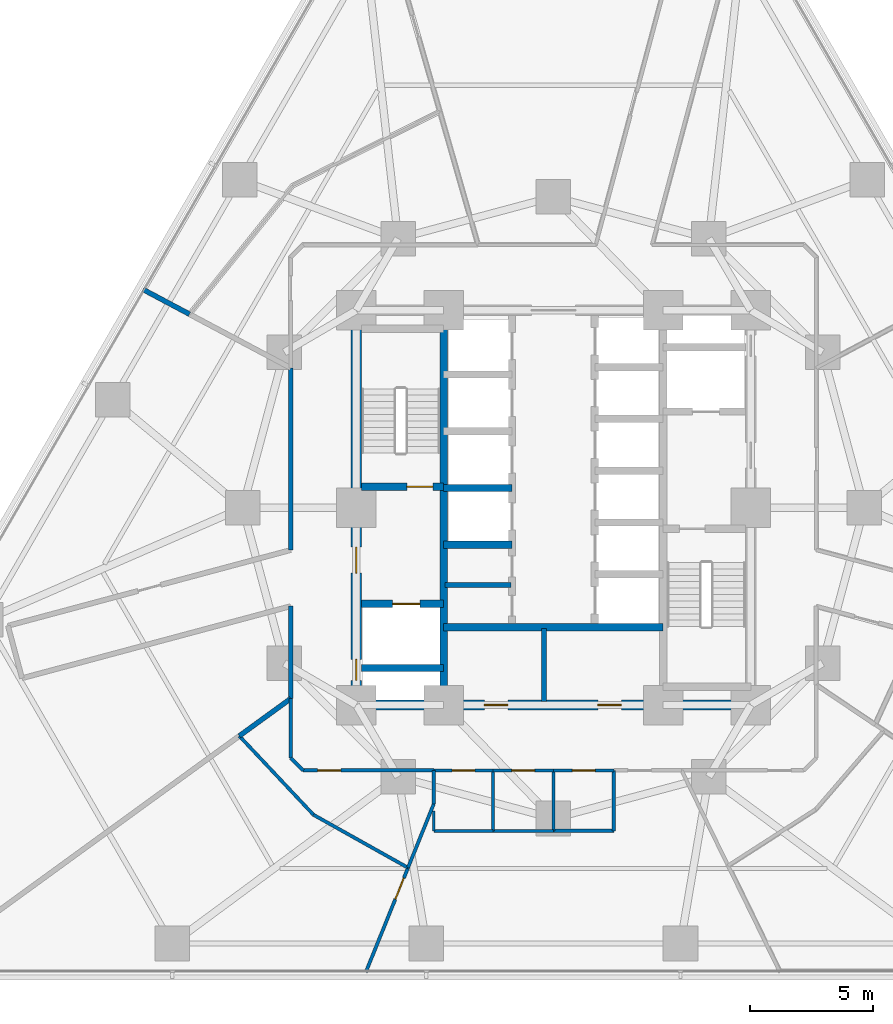
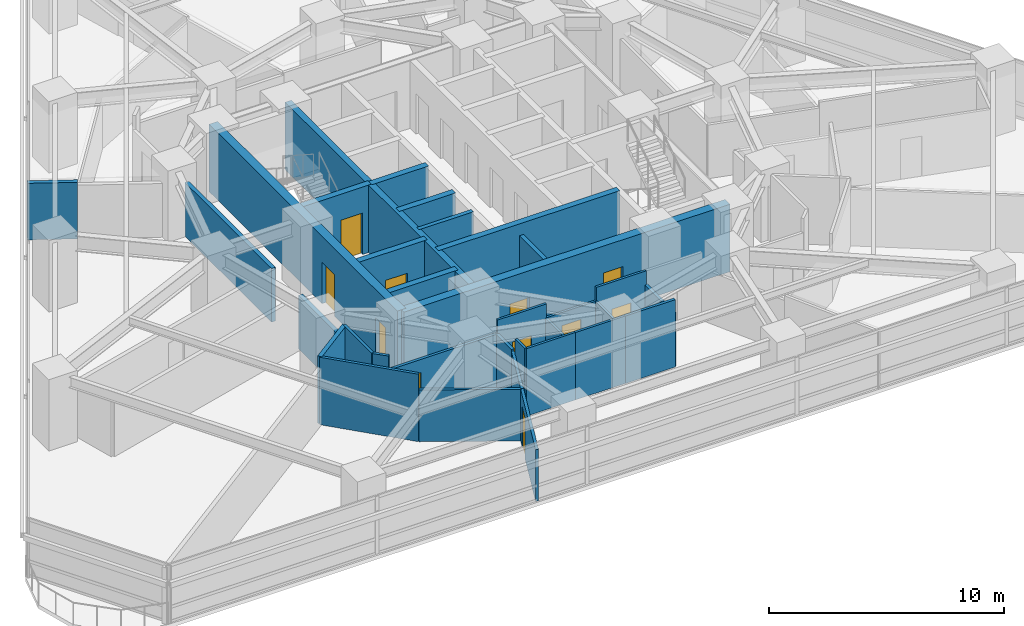
# One storey, part 8 of 16: 33 walls, 11 doors, 11 openings.
"""IFC4 building model written with IfcOpenShell, lengths in metres."""

from ifc_helpers import new_model, si_unit, direction, frame, frame_2d, origin, place, context, subcontext, project, spatial, rectangle, extrude, material, layer, layer_set, type_object, element, fill, save


model = new_model("IFC4")

# Units and contexts
model_context = context("Model", 3, precision=1e-05, world=origin(), true_north=direction((0.0, 1.0)))
body_context = subcontext(model_context, "Body", "Model", "MODEL_VIEW")
ifc_project = project(units=[si_unit("LENGTHUNIT", "METRE"), si_unit("AREAUNIT", "SQUARE_METRE"), si_unit("VOLUMEUNIT", "CUBIC_METRE"), si_unit("PLANEANGLEUNIT", "RADIAN"), si_unit("MASSUNIT", "GRAM", prefix="KILO")], contexts=[model_context])

# Site, building, storey
site_placement = place(None, origin())
site = spatial("IfcSite", under=ifc_project, at=site_placement, CompositionType="ELEMENT")
building_placement = place(site_placement, origin())
building = spatial("IfcBuilding", under=site, at=building_placement, Name="Terralouvre Media Tower", CompositionType="ELEMENT")
storey_placement = place(building_placement, frame((0.0, 0.0, 37.10009765625)))
storey = spatial("IfcBuildingStorey", under=building, at=storey_placement, Name="L08", CompositionType="ELEMENT", Elevation=37.10009765625)

# Wall
ifc_material_1 = material(Name="Concrete C50/60", Category="concrete")
ifc_layer_1 = layer(ifc_material_1, 0.300048828125, Name="Core Internal Shaft Wall CW-300")
ifc_layer_set_1 = layer_set([ifc_layer_1], Name="Concrete C50/60")
wall_type_1 = type_object("IfcWallType", Name="Core Internal Shaft Wall CW-300", PredefinedType="SHEAR", material=ifc_layer_set_1)
wall_1_placement = place(storey_placement, frame((-4.449951171875, -7.7900390625, 0.0), z_axis=(0.0, 0.0, 1.0), x_axis=(0.0, 1.0, 0.0)))
element("IfcWall", 1, at=wall_1_placement, inside=storey, type_object=wall_type_1, Name="L08 Core Shaft Wall SPW", PredefinedType="SHEAR", context=body_context, shape_type="SweptSolid", body=[
    extrude(rectangle(XDim=15.580078125, YDim=0.300048828125, at=frame_2d((7.7900390625, 0.0))), origin(), (0.0, 0.0, 1.0), 3.5),
])

# Wall, opening, door
wall_2_placement = place(storey_placement, frame((-7.7900390625, 0.85009765625, 0.0), z_axis=(0.0, 0.0, 1.0), x_axis=(1.0, 0.0, 0.0)))
wall_2 = element("IfcWall", 2, at=wall_2_placement, inside=storey, type_object=wall_type_1, Name="L08 Core Shaft Wall ST1D", PredefinedType="SHEAR", context=body_context, shape_type="SweptSolid", body=[
    extrude(rectangle(XDim=3.340087890625, YDim=0.300048828125, at=frame_2d((1.669921875, 0.0))), origin(), (0.0, 0.0, 1.0), 3.5),
])
opening_1_placement = place(wall_2_placement, frame((1.85009765625, 0.0, 0.0)))
opening_1 = element("IfcOpeningElement", 3, at=opening_1_placement, cuts=wall_2, Name="Opening FD-01-105X215", PredefinedType="OPENING", context=body_context, shape_type="SweptSolid", body=[
    extrude(rectangle(XDim=1.050048828125, YDim=2.14990234375, at=frame_2d((0.52490234375, 1.074951171875))), frame((0.0, 0.159912109375, 0.0), z_axis=(0.0, -1.0, 0.0), x_axis=(1.0, 0.0, 0.0)), (0.0, 0.0, 1.0), 0.320068359375),
])
ifc_material_2 = material(Name="Galvanised steel fire-resisting leaf", Category="steel")
door_type_1 = type_object("IfcDoorType", Name="Stair and Firefighting Lobby Fire Door FD-01 (1050x2150)", OperationType="NOTDEFINED", PredefinedType="DOOR", material=ifc_material_2)
door_1_placement = place(opening_1_placement, origin())
door_1 = element("IfcDoor", 4, at=door_1_placement, inside=storey, type_object=door_type_1, Name="L08 ST-01 Exit Stair Door", OperationType="SINGLE_SWING_LEFT", OverallHeight=2.14990234375, OverallWidth=1.050048828125, PredefinedType="DOOR", context=body_context, shape_type="SweptSolid", body=[
    extrude(rectangle(XDim=1.050048828125, YDim=2.14990234375, at=frame_2d((0.52490234375, 1.074951171875))), frame((0.0, 0.02490234375, 0.0), z_axis=(0.0, -1.0, 0.0), x_axis=(1.0, 0.0, 0.0)), (0.0, 0.0, 1.0), 0.050048828125),
])
fill(opening_1, door_1)

wall_3_placement = place(storey_placement, frame((-7.7900390625, -3.89990234375, 0.0), z_axis=(0.0, 0.0, 1.0), x_axis=(1.0, 0.0, 0.0)))
wall_3 = element("IfcWall", 5, at=wall_3_placement, inside=storey, type_object=wall_type_1, Name="L08 Core Shaft Wall FF1N", PredefinedType="SHEAR", context=body_context, shape_type="SweptSolid", body=[
    extrude(rectangle(XDim=3.340087890625, YDim=0.300048828125, at=frame_2d((1.669921875, 0.0))), origin(), (0.0, 0.0, 1.0), 3.5),
])
opening_2_placement = place(wall_3_placement, frame((1.27001953125, 0.0, 0.0)))
opening_2 = element("IfcOpeningElement", 6, at=opening_2_placement, cuts=wall_3, Name="Opening LD-FF", PredefinedType="OPENING", context=body_context, shape_type="SweptSolid", body=[
    extrude(rectangle(XDim=1.10009765625, YDim=2.10009765625, at=frame_2d((0.550048828125, 1.050048828125))), frame((0.0, 0.159912109375, 0.0), z_axis=(0.0, -1.0, 0.0), x_axis=(1.0, 0.0, 0.0)), (0.0, 0.0, 1.0), 0.320068359375),
])
ifc_material_3 = material(Name="Stainless steel 316 handrail and balustrade", Category="steel")
door_type_2 = type_object("IfcDoorType", Name="Firefighting Lift Sliding Landing Door LD-FF", OperationType="SLIDING_TO_LEFT", PredefinedType="DOOR", material=ifc_material_3)
door_2_placement = place(opening_2_placement, origin())
door_2 = element("IfcDoor", 7, at=door_2_placement, inside=storey, type_object=door_type_2, Name="L08 Firefighting Lift FFL-01 Landing Door", OperationType="SLIDING_TO_LEFT", OverallHeight=2.10009765625, OverallWidth=1.10009765625, PredefinedType="DOOR", context=body_context, shape_type="SweptSolid", body=[
    extrude(rectangle(XDim=1.10009765625, YDim=2.10009765625, at=frame_2d((0.550048828125, 1.050048828125))), frame((0.0, 0.02490234375, 0.0), z_axis=(0.0, -1.0, 0.0), x_axis=(1.0, 0.0, 0.0)), (0.0, 0.0, 1.0), 0.050048828125),
])
fill(opening_2, door_2)

# Walls
wall_4_placement = place(storey_placement, frame((-7.7900390625, -6.5, 0.0), z_axis=(0.0, 0.0, 1.0), x_axis=(1.0, 0.0, 0.0)))
element("IfcWall", 8, at=wall_4_placement, inside=storey, type_object=wall_type_1, Name="L08 Core Shaft Wall FF1S", PredefinedType="SHEAR", context=body_context, shape_type="SweptSolid", body=[
    extrude(rectangle(XDim=3.340087890625, YDim=0.300048828125, at=frame_2d((1.669921875, 0.0))), origin(), (0.0, 0.0, 1.0), 3.5),
])
wall_5_placement = place(storey_placement, frame((-4.449951171875, -4.85009765625, 0.0), z_axis=(0.0, 0.0, 1.0), x_axis=(1.0, 0.0, 0.0)))
element("IfcWall", 9, at=wall_5_placement, inside=storey, type_object=wall_type_1, Name="L08 Core Shaft Wall CSBN", PredefinedType="SHEAR", context=body_context, shape_type="SweptSolid", body=[
    extrude(rectangle(XDim=8.89990234375, YDim=0.300048828125, at=frame_2d((4.449951171875, 0.0))), origin(), (0.0, 0.0, 1.0), 3.5),
])
for number, where, z_axis, x_axis, name in (
    (10, (-4.449951171875, -1.5, 0.0), (0.0, 0.0, 1.0), (1.0, 0.0, 0.0), "L08 Core Shaft Wall PLLD0"),
    (11, (-4.449951171875, 0.800048828125, 0.0), (0.0, 0.0, 1.0), (1.0, 0.0, 0.0), "L08 Core Shaft Wall PLLD1"),
):
    element("IfcWall", number, at=place(storey_placement, frame(where, z_axis=z_axis, x_axis=x_axis)), inside=storey, type_object=wall_type_1, Name=name, PredefinedType="SHEAR", context=body_context, shape_type="SweptSolid", body=[
        extrude(rectangle(XDim=2.77001953125, YDim=0.300048828125, at=frame_2d((1.385009765625, 0.0))), origin(), (0.0, 0.0, 1.0), 3.5),
    ])

# Wall, openings, doors
ifc_material_4 = material(Name="Concrete C60/75", Category="concrete")
ifc_layer_2 = layer(ifc_material_4, 0.419921875, Name="Core Reinforced Concrete Shear Wall CW-420")
ifc_layer_set_2 = layer_set([ifc_layer_2], Name="Concrete C60/75")
wall_type_2 = type_object("IfcWallType", Name="Core Reinforced Concrete Shear Wall CW-420", PredefinedType="SHEAR", material=ifc_layer_set_2)
wall_6_placement = place(storey_placement, frame((-8.0, -8.0, 0.0), z_axis=(0.0, 0.0, 1.0), x_axis=(0.0, 1.0, 0.0)))
wall_6 = element("IfcWall", 12, at=wall_6_placement, inside=storey, type_object=wall_type_2, Name="L08 W Core Shear Wall", PredefinedType="SHEAR", context=body_context, shape_type="SweptSolid", body=[
    extrude(rectangle(XDim=16.0, YDim=0.419921875, at=frame_2d((8.0, 0.0))), origin(), (0.0, 0.0, 1.0), 3.5),
])
opening_3_placement = place(wall_6_placement, frame((1.001708984375, 0.0, 0.0)))
opening_3 = element("IfcOpeningElement", 13, at=opening_3_placement, cuts=wall_6, Name="Opening TD-R1", PredefinedType="OPENING", context=body_context, shape_type="SweptSolid", body=[
    extrude(rectangle(XDim=0.85009765625, YDim=2.02001953125, at=frame_2d((0.425048828125, 1.010009765625))), frame((0.0, 0.219970703125, 0.0), z_axis=(0.0, -1.0, 0.0), x_axis=(1.0, 0.0, 0.0)), (0.0, 0.0, 1.0), 0.43994140625),
])
opening_4_placement = place(wall_6_placement, frame((5.35009765625, 0.0, 0.0)))
opening_4 = element("IfcOpeningElement", 14, at=opening_4_placement, cuts=wall_6, Name="Opening FD-01-105X215", PredefinedType="OPENING", context=body_context, shape_type="SweptSolid", body=[
    extrude(rectangle(XDim=1.050048828125, YDim=2.14990234375, at=frame_2d((0.52490234375, 1.074951171875))), frame((0.0, 0.219970703125, 0.0), z_axis=(0.0, -1.0, 0.0), x_axis=(1.0, 0.0, 0.0)), (0.0, 0.0, 1.0), 0.43994140625),
])
ifc_material_5 = material(Name="Galvanised steel fire-resisting leaf", Category="steel")
door_type_3 = type_object("IfcDoorType", Name="Riser Inspection Access Trapdoor TD-R1", OperationType="NOTDEFINED", PredefinedType="TRAPDOOR", material=ifc_material_5)
door_3_placement = place(opening_3_placement, origin())
door_3 = element("IfcDoor", 15, at=door_3_placement, inside=storey, type_object=door_type_3, Name="L08 Wet Riser Access Trapdoor", OperationType="SINGLE_SWING_LEFT", OverallHeight=2.02001953125, OverallWidth=0.85009765625, PredefinedType="TRAPDOOR", context=body_context, shape_type="SweptSolid", body=[
    extrude(rectangle(XDim=0.85009765625, YDim=2.02001953125, at=frame_2d((0.425048828125, 1.010009765625))), frame((0.0, 0.02490234375, 0.0), z_axis=(0.0, -1.0, 0.0), x_axis=(1.0, 0.0, 0.0)), (0.0, 0.0, 1.0), 0.050048828125),
])
fill(opening_3, door_3)
door_4_placement = place(opening_4_placement, origin())
door_4 = element("IfcDoor", 16, at=door_4_placement, inside=storey, type_object=door_type_1, Name="L08 West Firefighting Lobby Entry Door", OperationType="SINGLE_SWING_RIGHT", OverallHeight=2.14990234375, OverallWidth=1.050048828125, PredefinedType="DOOR", context=body_context, shape_type="SweptSolid", body=[
    extrude(rectangle(XDim=1.050048828125, YDim=2.14990234375, at=frame_2d((0.52490234375, 1.074951171875))), frame((0.0, 0.02490234375, 0.0), z_axis=(0.0, -1.0, 0.0), x_axis=(1.0, 0.0, 0.0)), (0.0, 0.0, 1.0), 0.050048828125),
])
fill(opening_4, door_4)

wall_7_placement = place(storey_placement, frame((-8.0, -8.0, 0.0), z_axis=(0.0, 0.0, 1.0), x_axis=(1.0, 0.0, 0.0)))
wall_7 = element("IfcWall", 17, at=wall_7_placement, inside=storey, type_object=wall_type_2, Name="L08 S Core Shear Wall", PredefinedType="SHEAR", context=body_context, shape_type="SweptSolid", body=[
    extrude(rectangle(XDim=16.0, YDim=0.419921875, at=frame_2d((8.0, 0.0))), origin(), (0.0, 0.0, 1.0), 3.5),
])
opening_5_placement = place(wall_7_placement, frame((5.199951171875, 0.0, 0.0)))
opening_5 = element("IfcOpeningElement", 18, at=opening_5_placement, cuts=wall_7, Name="Opening FD-02-95X210", PredefinedType="OPENING", context=body_context, shape_type="SweptSolid", body=[
    extrude(rectangle(XDim=0.949951171875, YDim=2.10009765625, at=frame_2d((0.47509765625, 1.050048828125))), frame((0.0, 0.219970703125, 0.0), z_axis=(0.0, -1.0, 0.0), x_axis=(1.0, 0.0, 0.0)), (0.0, 0.0, 1.0), 0.43994140625),
])
opening_6_placement = place(wall_7_placement, frame((9.800048828125, 0.0, 0.0)))
opening_6 = element("IfcOpeningElement", 19, at=opening_6_placement, cuts=wall_7, Name="Opening FD-02-95X210", PredefinedType="OPENING", context=body_context, shape_type="SweptSolid", body=[
    extrude(rectangle(XDim=0.949951171875, YDim=2.10009765625, at=frame_2d((0.47509765625, 1.050048828125))), frame((0.0, 0.219970703125, 0.0), z_axis=(0.0, -1.0, 0.0), x_axis=(1.0, 0.0, 0.0)), (0.0, 0.0, 1.0), 0.43994140625),
])
ifc_material_6 = material(Name="Galvanised steel fire-resisting leaf", Category="steel")
door_type_4 = type_object("IfcDoorType", Name="Plant and Riser Fire Door FD-02 (950x2100)", OperationType="NOTDEFINED", PredefinedType="DOOR", material=ifc_material_6)
door_5_placement = place(opening_5_placement, origin())
door_5 = element("IfcDoor", 20, at=door_5_placement, inside=storey, type_object=door_type_4, Name="L08 Core Valve Plant Door", OperationType="SINGLE_SWING_LEFT", OverallHeight=2.10009765625, OverallWidth=0.949951171875, PredefinedType="DOOR", context=body_context, shape_type="SweptSolid", body=[
    extrude(rectangle(XDim=0.949951171875, YDim=2.10009765625, at=frame_2d((0.47509765625, 1.050048828125))), frame((0.0, 0.02490234375, 0.0), z_axis=(0.0, -1.0, 0.0), x_axis=(1.0, 0.0, 0.0)), (0.0, 0.0, 1.0), 0.050048828125),
])
fill(opening_5, door_5)
door_6_placement = place(opening_6_placement, origin())
door_6 = element("IfcDoor", 21, at=door_6_placement, inside=storey, type_object=door_type_4, Name="L08 Core MDF Plant Door", OperationType="SINGLE_SWING_RIGHT", OverallHeight=2.10009765625, OverallWidth=0.949951171875, PredefinedType="DOOR", context=body_context, shape_type="SweptSolid", body=[
    extrude(rectangle(XDim=0.949951171875, YDim=2.10009765625, at=frame_2d((0.47509765625, 1.050048828125))), frame((0.0, 0.02490234375, 0.0), z_axis=(0.0, -1.0, 0.0), x_axis=(1.0, 0.0, 0.0)), (0.0, 0.0, 1.0), 0.050048828125),
])
fill(opening_6, door_6)

# Walls
ifc_material_7 = material(Name="Fire-rated gypsum board drywall partition")
ifc_layer_3 = layer(ifc_material_7, 0.199951171875, Name="Fire-Rated Shaft and Lobby Partition FW-200")
ifc_layer_set_3 = layer_set([ifc_layer_3], Name="Fire-rated gypsum board drywall partition")
wall_type_3 = type_object("IfcWallType", Name="Fire-Rated Shaft and Lobby Partition FW-200", PredefinedType="SOLIDWALL", material=ifc_layer_set_3)
wall_8_placement = place(storey_placement, frame((-0.3798828125, -7.85009765625, 0.0), z_axis=(0.0, 0.0, 1.0), x_axis=(0.0, 1.0, 0.0)))
element("IfcWall", 22, at=wall_8_placement, inside=storey, type_object=wall_type_3, Name="L08 Core Service Bay Partition 1", PredefinedType="SOLIDWALL", context=body_context, shape_type="SweptSolid", body=[
    extrude(rectangle(XDim=2.9501953125, YDim=0.199951171875, at=frame_2d((1.47509765625, 0.0))), origin(), (0.0, 0.0, 1.0), 2.885009765625),
])
wall_9_placement = place(storey_placement, frame((-4.39990234375, -3.139892578125, 0.0), z_axis=(0.0, 0.0, 1.0), x_axis=(1.0, 0.0, 0.0)))
element("IfcWall", 23, at=wall_9_placement, inside=storey, type_object=wall_type_3, Name="L08 Core West Sub-Partition 1", PredefinedType="SOLIDWALL", context=body_context, shape_type="SweptSolid", body=[
    extrude(rectangle(XDim=2.679931640625, YDim=0.199951171875, at=frame_2d((1.33984375, 0.0))), origin(), (0.0, 0.0, 1.0), 3.5),
])
wall_10_placement = place(storey_placement, frame((-10.64990234375, 5.6630859375, 0.0), z_axis=(0.0, 0.0, 1.0), x_axis=(0.0, -1.0, 0.0)))
element("IfcWall", 24, at=wall_10_placement, inside=storey, type_object=wall_type_3, Name="L08 Interior Partition 008", PredefinedType="SOLIDWALL", context=body_context, shape_type="SweptSolid", body=[
    extrude(rectangle(XDim=7.378173828125, YDim=0.199951171875, at=frame_2d((3.68896484375, 0.0))), origin(), (0.0, 0.0, 1.0), 2.784912109375),
])
wall_11_placement = place(storey_placement, frame((-10.64990234375, -3.991943359375, 0.0), z_axis=(0.0, 0.0, 1.0), x_axis=(0.0, -1.0, 0.0)))
element("IfcWall", 25, at=wall_11_placement, inside=storey, type_object=wall_type_3, Name="L08 Interior Partition 012", PredefinedType="SOLIDWALL", context=body_context, shape_type="SweptSolid", body=[
    extrude(rectangle(XDim=3.74609375, YDim=0.199951171875, at=frame_2d((1.873046875, 0.0))), origin(), (0.0, 0.0, 1.0), 2.784912109375),
])
wall_12_placement = place(storey_placement, frame((-12.736083984375, -9.2529296875, 0.0), z_axis=(0.0, 0.0, 1.0), x_axis=(0.809165833136, 0.587580338749, 0.0)))
element("IfcWall", 26, at=wall_12_placement, inside=storey, type_object=wall_type_3, Name="L08 Interior Partition 038", PredefinedType="SOLIDWALL", context=body_context, shape_type="SweptSolid", body=[
    extrude(rectangle(XDim=2.578125, YDim=0.199951171875, at=frame_2d((1.2890625, 0.0))), origin(), (0.0, 0.0, 1.0), 3.5),
])
wall_13_placement = place(storey_placement, frame((-14.7548828125, 7.844970703125, 0.0), z_axis=(0.0, 0.0, 1.0), x_axis=(-0.882905636776, 0.469550462197, 0.0)))
element("IfcWall", 27, at=wall_13_placement, inside=storey, type_object=wall_type_3, Name="L08 Interior Partition 039", PredefinedType="SOLIDWALL", context=body_context, shape_type="SweptSolid", body=[
    extrude(rectangle(XDim=2.137451171875, YDim=0.199951171875, at=frame_2d((1.06884765625, 0.0))), origin(), (0.0, 0.0, 1.0), 2.934814453125),
])
ifc_material_8 = material(Name="Fire-rated gypsum board drywall partition")
ifc_layer_4 = layer(ifc_material_8, 0.135009765625, Name="Newsroom Acoustic Partition PT-135")
ifc_layer_set_4 = layer_set([ifc_layer_4], Name="Fire-rated gypsum board drywall partition")
wall_type_4 = type_object("IfcWallType", Name="Newsroom Acoustic Partition PT-135", PredefinedType="PARTITIONING", material=ifc_layer_set_4)
wall_14_placement = place(storey_placement, frame((-10.64990234375, -7.738037109375, 0.0), z_axis=(0.0, 0.0, 1.0), x_axis=(0.0, -1.0, 0.0)))
element("IfcWall", 28, at=wall_14_placement, inside=storey, type_object=wall_type_4, Name="L08 Interior Partition 020", PredefinedType="PARTITIONING", context=body_context, shape_type="SweptSolid", body=[
    extrude(rectangle(XDim=2.411865234375, YDim=0.135009765625, at=frame_2d((1.2060546875, 0.0))), origin(), (0.0, 0.0, 1.0), 3.5),
])
wall_15_placement = place(storey_placement, frame((-10.64990234375, -10.14990234375, 0.0), z_axis=(0.0, 0.0, 1.0), x_axis=(0.707106781187, -0.707106781187, 0.0)))
element("IfcWall", 29, at=wall_15_placement, inside=storey, type_object=wall_type_4, Name="L08 Interior Partition 021", PredefinedType="PARTITIONING", context=body_context, shape_type="SweptSolid", body=[
    extrude(rectangle(XDim=0.70703125, YDim=0.135009765625, at=frame_2d((0.353515625, 0.0))), origin(), (0.0, 0.0, 1.0), 3.5),
])

# Wall, opening, door
wall_16_placement = place(storey_placement, frame((-10.14990234375, -10.64990234375, 0.0), z_axis=(0.0, 0.0, 1.0), x_axis=(1.0, 0.0, 0.0)))
wall_16 = element("IfcWall", 30, at=wall_16_placement, inside=storey, type_object=wall_type_4, Name="L08 Interior Partition 022", PredefinedType="PARTITIONING", context=body_context, shape_type="SweptSolid", body=[
    extrude(rectangle(XDim=5.2998046875, YDim=0.135009765625, at=frame_2d((2.64990234375, 0.0))), origin(), (0.0, 0.0, 1.0), 2.784912109375),
])
opening_7_placement = place(wall_16_placement, frame((0.5849609375, 0.0, 0.0)))
opening_7 = element("IfcOpeningElement", 31, at=opening_7_placement, cuts=wall_16, Name="Opening ID-02-95X210", PredefinedType="OPENING", context=body_context, shape_type="SweptSolid", body=[
    extrude(rectangle(XDim=0.949951171875, YDim=2.10009765625, at=frame_2d((0.47509765625, 1.050048828125))), frame((0.0, 0.077392578125, 0.0), z_axis=(0.0, -1.0, 0.0), x_axis=(1.0, 0.0, 0.0)), (0.0, 0.0, 1.0), 0.155029296875),
])
ifc_material_9 = material(Name="Engineered hardwood acoustic timber leaf", Category="wood")
door_type_5 = type_object("IfcDoorType", Name="Office and Meeting Room Door ID-02 (950x2100)", OperationType="NOTDEFINED", PredefinedType="DOOR", material=ifc_material_9)
door_7_placement = place(opening_7_placement, origin())
door_7 = element("IfcDoor", 32, at=door_7_placement, inside=storey, type_object=door_type_5, Name="L08 Wardrobe Costume Closet 7 Door", OperationType="SINGLE_SWING_LEFT", OverallHeight=2.10009765625, OverallWidth=0.949951171875, PredefinedType="DOOR", context=body_context, shape_type="SweptSolid", body=[
    extrude(rectangle(XDim=0.949951171875, YDim=2.10009765625, at=frame_2d((0.47509765625, 1.050048828125))), frame((0.0, 0.02490234375, 0.0), z_axis=(0.0, -1.0, 0.0), x_axis=(1.0, 0.0, 0.0)), (0.0, 0.0, 1.0), 0.050048828125),
])
fill(opening_7, door_7)

# Walls
wall_17_placement = place(storey_placement, frame((-5.89697265625, -14.595947265625, 0.0), z_axis=(0.0, 0.0, 1.0), x_axis=(-0.87248894478, 0.488633851915, 0.0)))
element("IfcWall", 33, at=wall_17_placement, inside=storey, type_object=wall_type_4, Name="L08 Interior Partition 047", PredefinedType="PARTITIONING", context=body_context, shape_type="SweptSolid", body=[
    extrude(rectangle(XDim=4.389892578125, YDim=0.135009765625, at=frame_2d((2.19482421875, 0.0))), origin(), (0.0, 0.0, 1.0), 2.684814453125),
])
wall_18_placement = place(storey_placement, frame((-9.72705078125, -12.450927734375, 0.0), z_axis=(0.0, 0.0, 1.0), x_axis=(-0.685262368975, 0.728296289752, 0.0)))
element("IfcWall", 34, at=wall_18_placement, inside=storey, type_object=wall_type_4, Name="L08 Interior Partition 048", PredefinedType="PARTITIONING", context=body_context, shape_type="SweptSolid", body=[
    extrude(rectangle(XDim=4.39111328125, YDim=0.135009765625, at=frame_2d((2.195556640625, 0.0))), origin(), (0.0, 0.0, 1.0), 3.5),
])

# Wall, opening, door
wall_19_placement = place(storey_placement, frame((-7.610107421875, -18.8369140625, 0.0), z_axis=(0.0, 0.0, 1.0), x_axis=(0.374545124537, 0.927208687236, 0.0)))
wall_19 = element("IfcWall", 35, at=wall_19_placement, inside=storey, type_object=wall_type_4, Name="L08 Interior Partition 049", PredefinedType="PARTITIONING", context=body_context, shape_type="SweptSolid", body=[
    extrude(rectangle(XDim=4.573974609375, YDim=0.135009765625, at=frame_2d((2.287109375, 0.0))), origin(), (0.0, 0.0, 1.0), 2.684814453125),
])
opening_8_placement = place(wall_19_placement, frame((3.198974609375, 0.0, 0.0)))
opening_8 = element("IfcOpeningElement", 36, at=opening_8_placement, cuts=wall_19, Name="Opening ID-03-92X210", PredefinedType="OPENING", context=body_context, shape_type="SweptSolid", body=[
    extrude(rectangle(XDim=0.919921875, YDim=2.10009765625, at=frame_2d((0.4599609375, 1.050048828125))), frame((0.0, 0.077392578125, 0.0), z_axis=(0.0, -1.0, 0.0), x_axis=(1.0, 0.0, 0.0)), (0.0, 0.0, 1.0), 0.155029296875),
])
ifc_material_10 = material(Name="Engineered hardwood acoustic timber leaf", Category="wood")
door_type_6 = type_object("IfcDoorType", Name="Accessible Restroom and Suite Door ID-03 (920x2100)", OperationType="NOTDEFINED", PredefinedType="DOOR", material=ifc_material_10)
door_8_placement = place(opening_8_placement, origin())
door_8 = element("IfcDoor", 37, at=door_8_placement, inside=storey, type_object=door_type_6, Name="L08 Camera Lens Vault Store 6 Door", OperationType="SINGLE_SWING_RIGHT", OverallHeight=2.10009765625, OverallWidth=0.919921875, PredefinedType="DOOR", context=body_context, shape_type="SweptSolid", body=[
    extrude(rectangle(XDim=0.919921875, YDim=2.10009765625, at=frame_2d((0.4599609375, 1.050048828125))), frame((0.0, 0.02490234375, 0.0), z_axis=(0.0, -1.0, 0.0), x_axis=(1.0, 0.0, 0.0)), (0.0, 0.0, 1.0), 0.050048828125),
])
fill(opening_8, door_8)

# Walls
wall_20_placement = place(storey_placement, frame((-4.85009765625, -12.00390625, 0.0), z_axis=(0.0, 0.0, 1.0), x_axis=(0.0, 1.0, 0.0)))
element("IfcWall", 38, at=wall_20_placement, inside=storey, type_object=wall_type_4, Name="L08 Interior Partition 050", PredefinedType="PARTITIONING", context=body_context, shape_type="SweptSolid", body=[
    extrude(rectangle(XDim=1.35400390625, YDim=0.135009765625, at=frame_2d((0.677001953125, 0.0))), origin(), (0.0, 0.0, 1.0), 2.784912109375),
])
wall_21_placement = place(storey_placement, frame((-5.89697265625, -14.595947265625, 0.0), z_axis=(0.0, 0.0, 1.0), x_axis=(0.374490485533, 0.92723075674, 0.0)))
element("IfcWall", 39, at=wall_21_placement, inside=storey, type_object=wall_type_4, Name="L08 Interior Partition 051", PredefinedType="PARTITIONING", context=body_context, shape_type="SweptSolid", body=[
    extrude(rectangle(XDim=2.79541015625, YDim=0.135009765625, at=frame_2d((1.397705078125, 0.0))), origin(), (0.0, 0.0, 1.0), 2.684814453125),
])
wall_22_placement = place(storey_placement, frame((2.449951171875, -10.64990234375, 0.0), z_axis=(0.0, 0.0, 1.0), x_axis=(0.0, -1.0, 0.0)))
element("IfcWall", 40, at=wall_22_placement, inside=storey, type_object=wall_type_4, Name="L08 Interior Partition 057", PredefinedType="PARTITIONING", context=body_context, shape_type="SweptSolid", body=[
    extrude(rectangle(XDim=2.4501953125, YDim=0.135009765625, at=frame_2d((1.22509765625, 0.0))), origin(), (0.0, 0.0, 1.0), 2.784912109375),
])
wall_23_placement = place(storey_placement, frame((2.449951171875, -13.10009765625, 0.0), z_axis=(0.0, 0.0, 1.0), x_axis=(-1.0, 0.0, 0.0)))
element("IfcWall", 41, at=wall_23_placement, inside=storey, type_object=wall_type_4, Name="L08 Interior Partition 058", PredefinedType="PARTITIONING", context=body_context, shape_type="SweptSolid", body=[
    extrude(rectangle(XDim=2.449951171875, YDim=0.135009765625, at=frame_2d((1.22509765625, 0.0))), origin(), (0.0, 0.0, 1.0), 3.5),
])

# Wall, opening, door
ifc_material_11 = material(Name="Fire-rated gypsum board drywall partition")
ifc_layer_5 = layer(ifc_material_11, 0.114990234375, Name="Restroom and Pantry Partition PT-115")
ifc_layer_set_5 = layer_set([ifc_layer_5], Name="Fire-rated gypsum board drywall partition")
wall_type_5 = type_object("IfcWallType", Name="Restroom and Pantry Partition PT-115", PredefinedType="PARTITIONING", material=ifc_layer_set_5)
wall_24_placement = place(storey_placement, frame((-4.85009765625, -10.64990234375, 0.0), z_axis=(0.0, 0.0, 1.0), x_axis=(1.0, 0.0, 0.0)))
wall_24 = element("IfcWall", 42, at=wall_24_placement, inside=storey, type_object=wall_type_5, Name="L08 Interior Partition 023", PredefinedType="PARTITIONING", context=body_context, shape_type="SweptSolid", body=[
    extrude(rectangle(XDim=2.400146484375, YDim=0.114990234375, at=frame_2d((1.2001953125, 0.0))), origin(), (0.0, 0.0, 1.0), 3.5),
])
opening_9_placement = place(wall_24_placement, frame((0.739990234375, 0.0, 0.0)))
opening_9 = element("IfcOpeningElement", 43, at=opening_9_placement, cuts=wall_24, Name="Opening ID-03-92X210", PredefinedType="OPENING", context=body_context, shape_type="SweptSolid", body=[
    extrude(rectangle(XDim=0.919921875, YDim=2.10009765625, at=frame_2d((0.4599609375, 1.050048828125))), frame((0.0, 0.0673828125, 0.0), z_axis=(0.0, -1.0, 0.0), x_axis=(1.0, 0.0, 0.0)), (0.0, 0.0, 1.0), 0.135009765625),
])
door_9_placement = place(opening_9_placement, origin())
door_9 = element("IfcDoor", 44, at=door_9_placement, inside=storey, type_object=door_type_6, Name="L08 Male Restroom WC Door", OperationType="SINGLE_SWING_RIGHT", OverallHeight=2.10009765625, OverallWidth=0.919921875, PredefinedType="DOOR", context=body_context, shape_type="SweptSolid", body=[
    extrude(rectangle(XDim=0.919921875, YDim=2.10009765625, at=frame_2d((0.4599609375, 1.050048828125))), frame((0.0, 0.02490234375, 0.0), z_axis=(0.0, -1.0, 0.0), x_axis=(1.0, 0.0, 0.0)), (0.0, 0.0, 1.0), 0.050048828125),
])
fill(opening_9, door_9)

wall_25_placement = place(storey_placement, frame((-2.449951171875, -10.64990234375, 0.0), z_axis=(0.0, 0.0, 1.0), x_axis=(1.0, 0.0, 0.0)))
wall_25 = element("IfcWall", 45, at=wall_25_placement, inside=storey, type_object=wall_type_5, Name="L08 Interior Partition 024", PredefinedType="PARTITIONING", context=body_context, shape_type="SweptSolid", body=[
    extrude(rectangle(XDim=2.449951171875, YDim=0.114990234375, at=frame_2d((1.22509765625, 0.0))), origin(), (0.0, 0.0, 1.0), 2.784912109375),
])
opening_10_placement = place(wall_25_placement, frame((0.764892578125, 0.0, 0.0)))
opening_10 = element("IfcOpeningElement", 46, at=opening_10_placement, cuts=wall_25, Name="Opening ID-03-92X210", PredefinedType="OPENING", context=body_context, shape_type="SweptSolid", body=[
    extrude(rectangle(XDim=0.919921875, YDim=2.10009765625, at=frame_2d((0.4599609375, 1.050048828125))), frame((0.0, 0.0673828125, 0.0), z_axis=(0.0, -1.0, 0.0), x_axis=(1.0, 0.0, 0.0)), (0.0, 0.0, 1.0), 0.135009765625),
])
door_10_placement = place(opening_10_placement, origin())
door_10 = element("IfcDoor", 47, at=door_10_placement, inside=storey, type_object=door_type_6, Name="L08 Female Restroom WC Door", OperationType="SINGLE_SWING_LEFT", OverallHeight=2.10009765625, OverallWidth=0.919921875, PredefinedType="DOOR", context=body_context, shape_type="SweptSolid", body=[
    extrude(rectangle(XDim=0.919921875, YDim=2.10009765625, at=frame_2d((0.4599609375, 1.050048828125))), frame((0.0, 0.02490234375, 0.0), z_axis=(0.0, -1.0, 0.0), x_axis=(1.0, 0.0, 0.0)), (0.0, 0.0, 1.0), 0.050048828125),
])
fill(opening_10, door_10)

wall_26_placement = place(storey_placement, frame((0.0, -10.64990234375, 0.0), z_axis=(0.0, 0.0, 1.0), x_axis=(1.0, 0.0, 0.0)))
wall_26 = element("IfcWall", 48, at=wall_26_placement, inside=storey, type_object=wall_type_5, Name="L08 Interior Partition 026", PredefinedType="PARTITIONING", context=body_context, shape_type="SweptSolid", body=[
    extrude(rectangle(XDim=2.449951171875, YDim=0.114990234375, at=frame_2d((1.22509765625, 0.0))), origin(), (0.0, 0.0, 1.0), 3.5),
])
opening_11_placement = place(wall_26_placement, frame((0.764892578125, 0.0, 0.0)))
opening_11 = element("IfcOpeningElement", 49, at=opening_11_placement, cuts=wall_26, Name="Opening ID-03-92X210", PredefinedType="OPENING", context=body_context, shape_type="SweptSolid", body=[
    extrude(rectangle(XDim=0.919921875, YDim=2.10009765625, at=frame_2d((0.4599609375, 1.050048828125))), frame((0.0, 0.0673828125, 0.0), z_axis=(0.0, -1.0, 0.0), x_axis=(1.0, 0.0, 0.0)), (0.0, 0.0, 1.0), 0.135009765625),
])
door_11_placement = place(opening_11_placement, origin())
door_11 = element("IfcDoor", 50, at=door_11_placement, inside=storey, type_object=door_type_6, Name="L08 Accessible Unisex WC Door", OperationType="SINGLE_SWING_LEFT", OverallHeight=2.10009765625, OverallWidth=0.919921875, PredefinedType="DOOR", context=body_context, shape_type="SweptSolid", body=[
    extrude(rectangle(XDim=0.919921875, YDim=2.10009765625, at=frame_2d((0.4599609375, 1.050048828125))), frame((0.0, 0.02490234375, 0.0), z_axis=(0.0, -1.0, 0.0), x_axis=(1.0, 0.0, 0.0)), (0.0, 0.0, 1.0), 0.050048828125),
])
fill(opening_11, door_11)

# Walls
wall_27_placement = place(storey_placement, frame((-2.449951171875, -13.10009765625, 0.0), z_axis=(0.0, 0.0, 1.0), x_axis=(0.0, 1.0, 0.0)))
element("IfcWall", 51, at=wall_27_placement, inside=storey, type_object=wall_type_5, Name="L08 Interior Partition 052", PredefinedType="PARTITIONING", context=body_context, shape_type="SweptSolid", body=[
    extrude(rectangle(XDim=2.4501953125, YDim=0.114990234375, at=frame_2d((1.22509765625, 0.0))), origin(), (0.0, 0.0, 1.0), 2.784912109375),
])
wall_28_placement = place(storey_placement, frame((-4.85009765625, -12.297607421875, 0.0), z_axis=(0.0, 0.0, 1.0), x_axis=(0.0, -1.0, 0.0)))
element("IfcWall", 52, at=wall_28_placement, inside=storey, type_object=wall_type_5, Name="L08 Interior Partition 053", PredefinedType="PARTITIONING", context=body_context, shape_type="SweptSolid", body=[
    extrude(rectangle(XDim=0.802490234375, YDim=0.114990234375, at=frame_2d((0.4013671875, 0.0))), origin(), (0.0, 0.0, 1.0), 3.5),
])
wall_29_placement = place(storey_placement, frame((-4.85009765625, -13.10009765625, 0.0), z_axis=(0.0, 0.0, 1.0), x_axis=(1.0, 0.0, 0.0)))
element("IfcWall", 53, at=wall_29_placement, inside=storey, type_object=wall_type_5, Name="L08 Interior Partition 054", PredefinedType="PARTITIONING", context=body_context, shape_type="SweptSolid", body=[
    extrude(rectangle(XDim=2.400146484375, YDim=0.114990234375, at=frame_2d((1.2001953125, 0.0))), origin(), (0.0, 0.0, 1.0), 3.5),
])
wall_30_placement = place(storey_placement, frame((-2.449951171875, -13.10009765625, 0.0), z_axis=(0.0, 0.0, 1.0), x_axis=(1.0, 0.0, 0.0)))
element("IfcWall", 54, at=wall_30_placement, inside=storey, type_object=wall_type_5, Name="L08 Interior Partition 055", PredefinedType="PARTITIONING", context=body_context, shape_type="SweptSolid", body=[
    extrude(rectangle(XDim=2.449951171875, YDim=0.114990234375, at=frame_2d((1.22509765625, 0.0))), origin(), (0.0, 0.0, 1.0), 3.5),
])
wall_31_placement = place(storey_placement, frame((0.0, -13.10009765625, 0.0), z_axis=(0.0, 0.0, 1.0), x_axis=(0.0, 1.0, 0.0)))
element("IfcWall", 55, at=wall_31_placement, inside=storey, type_object=wall_type_5, Name="L08 Interior Partition 056", PredefinedType="PARTITIONING", context=body_context, shape_type="SweptSolid", body=[
    extrude(rectangle(XDim=2.4501953125, YDim=0.114990234375, at=frame_2d((1.22509765625, 0.0))), origin(), (0.0, 0.0, 1.0), 2.784912109375),
])

save(model, "model.ifc")
